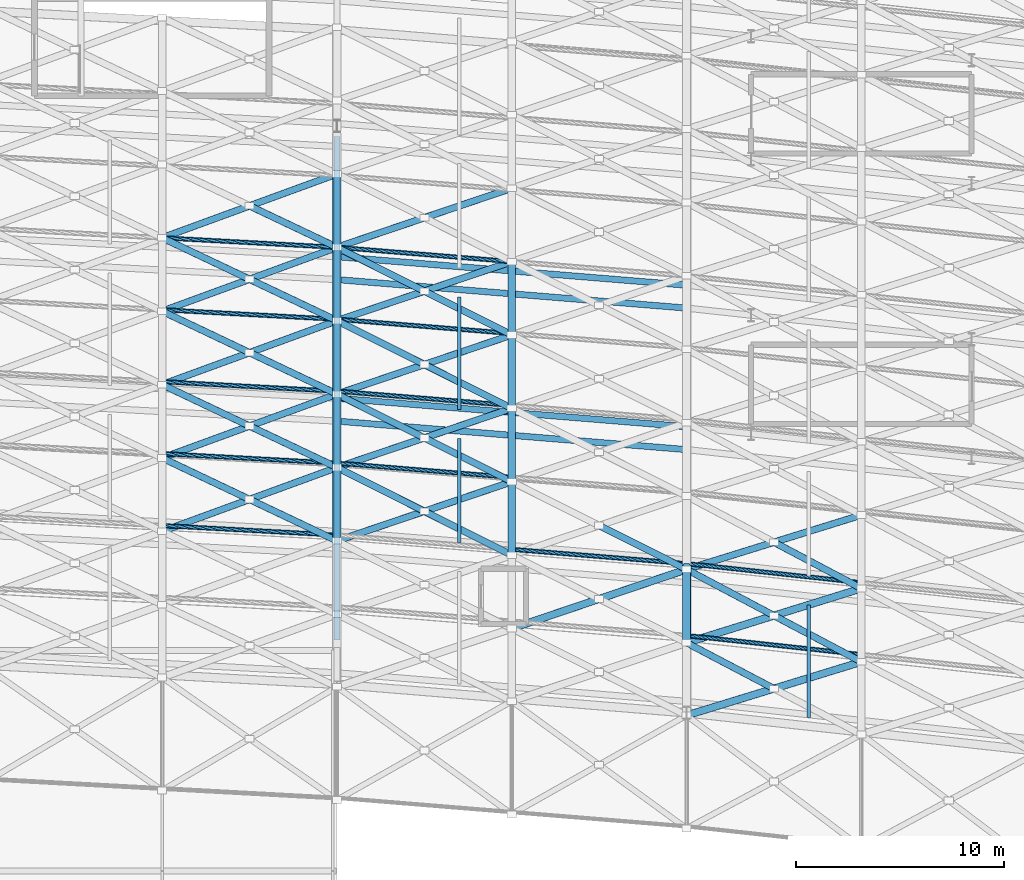
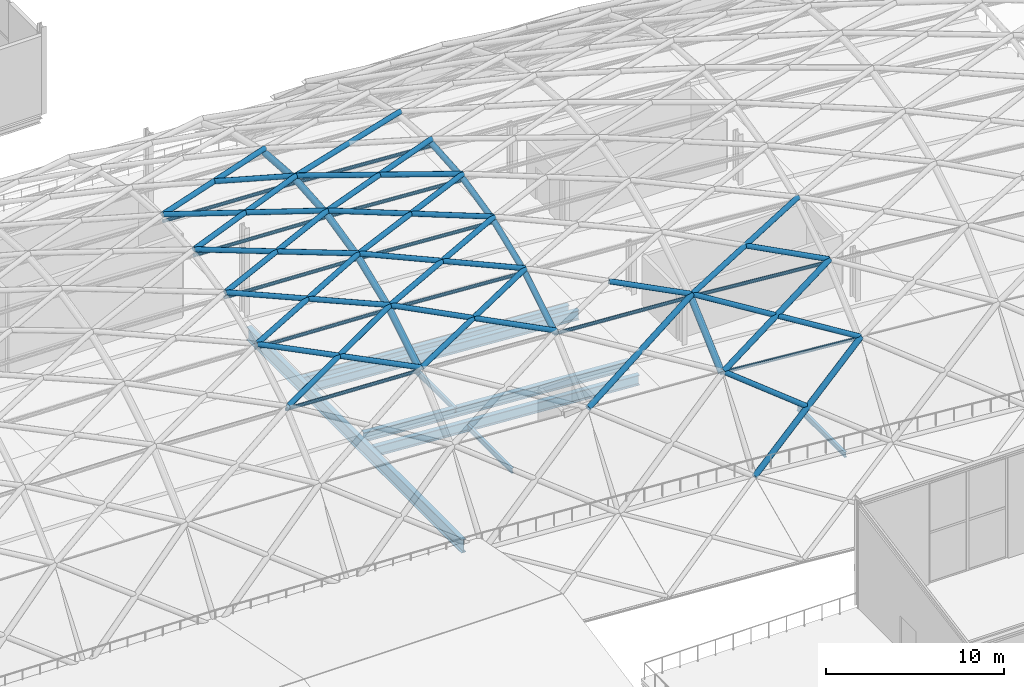
# One storey, part 51 of 100: 58 members, 8 beams.
"""IFC4 building model written with IfcOpenShell, lengths in metres."""

from ifc_helpers import new_model, si_unit, direction, frame, origin, origin_2d, place, context, subcontext, project, spatial, hollow_circle, i_section, extrude, material, material_profile, profile_set, type_object, element, save


model = new_model("IFC4")

# Units and contexts
model_context = context("Model", 3, precision=1e-05, world=origin(), true_north=direction((0.0, 1.0)))
body_context = subcontext(model_context, "Body", "Model", "MODEL_VIEW")
ifc_project = project(units=[si_unit("LENGTHUNIT", "METRE"), si_unit("AREAUNIT", "SQUARE_METRE"), si_unit("VOLUMEUNIT", "CUBIC_METRE"), si_unit("PLANEANGLEUNIT", "RADIAN"), si_unit("MASSUNIT", "GRAM", prefix="KILO")], contexts=[model_context])

# Site, building, storey
site_placement = place(None, origin())
site = spatial("IfcSite", under=ifc_project, at=site_placement, CompositionType="ELEMENT")
building_placement = place(site_placement, origin())
building = spatial("IfcBuilding", under=site, at=building_placement, Name="Kimbaza Rail Terminus", CompositionType="ELEMENT")
storey_placement = place(building_placement, frame((0.0, 0.0, 10.800048828125)))
storey = spatial("IfcBuildingStorey", under=building, at=storey_placement, Name="L02", CompositionType="ELEMENT", Elevation=10.800048828125)

# Beams
ifc_material_1 = material(Name="Steel S355", Category="steel")
ifc_material_profile_1 = material_profile(ifc_material_1, i_section(OverallWidth=0.300048828125, OverallDepth=0.64990234375, WebThickness=0.01611328125, FlangeThickness=0.031005859375, FilletRadius=0.027099609375, at=origin_2d()), Name="HEB 650")
ifc_profile_set_1 = profile_set([ifc_material_profile_1], Name="Steel S355")
beam_type_1 = type_object("IfcBeamType", Name="STR-BM-HEB650", PredefinedType="USERDEFINED", material=ifc_profile_set_1)
for number, where, z_axis, x_axis, name in (
    (1, (156.14453125, 67.114013671875, -0.5849609375), (0.996689077675, -0.081307333267, 0.0), (0.081307333267, 0.996689077675, 0.0), "Viaduct Chorded Girder P2 Bay 09"),
    (2, (156.14453125, 72.81396484375, -0.5849609375), (0.996690271877, -0.081292693071, 0.0), (0.081292693071, 0.996690271877, 0.0), "Viaduct Chorded Girder P2 Bay 09"),
):
    element("IfcBeam", number, at=place(storey_placement, frame(where, z_axis=z_axis, x_axis=x_axis)), inside=storey, type_object=beam_type_1, Name=name, ObjectType="GIRDER", PredefinedType="USERDEFINED", context=body_context, shape_type="SweptSolid", body=[
        extrude(i_section(OverallWidth=0.300048828125, OverallDepth=0.64990234375, WebThickness=0.01611328125, FlangeThickness=0.031005859375, FilletRadius=0.027099609375, at=origin_2d()), origin(), (0.0, 0.0, 1.0), 16.56591796875),
    ])
ifc_material_2 = material(Name="Steel S355", Category="steel")
ifc_material_profile_2 = material_profile(ifc_material_2, i_section(OverallWidth=0.300048828125, OverallDepth=0.699951171875, WebThickness=0.01708984375, FlangeThickness=0.031982421875, FilletRadius=0.027099609375, at=origin_2d()), Name="HEB 700")
ifc_profile_set_2 = profile_set([ifc_material_profile_2], Name="Steel S355")
beam_type_2 = type_object("IfcBeamType", Name="STR-BM-HEB700", PredefinedType="USERDEFINED", material=ifc_profile_set_2)
for number, where, z_axis, x_axis, name in (
    (3, (156.14453125, 66.013916015625, -0.920166015625), (0.996690271877, -0.081292693071, 0.0), (0.081292693071, 0.996690271877, 0.0), "Viaduct Chorded Girder TR12 Bay 09"),
    (4, (156.14453125, 73.9140625, -0.920166015625), (0.996689077675, -0.081307333267, 0.0), (0.081307333267, 0.996689077675, 0.0), "Viaduct Chorded Girder TR34 Bay 09"),
):
    element("IfcBeam", number, at=place(storey_placement, frame(where, z_axis=z_axis, x_axis=x_axis)), inside=storey, type_object=beam_type_2, Name=name, ObjectType="GIRDER", PredefinedType="USERDEFINED", context=body_context, shape_type="SweptSolid", body=[
        extrude(i_section(OverallWidth=0.300048828125, OverallDepth=0.699951171875, WebThickness=0.01708984375, FlangeThickness=0.031982421875, FilletRadius=0.027099609375, at=origin_2d()), origin(), (0.0, 0.0, 1.0), 16.56591796875),
    ])
ifc_material_3 = material(Name="Steel S355", Category="steel")
ifc_material_profile_3 = material_profile(ifc_material_3, i_section(OverallWidth=0.302001953125, OverallDepth=0.909912109375, WebThickness=0.02099609375, FlangeThickness=0.0400390625, FilletRadius=0.030029296875, at=origin_2d()), Name="HEM 900")
ifc_profile_set_3 = profile_set([ifc_material_profile_3], Name="Steel S355")
beam_type_3 = type_object("IfcBeamType", Name="STR-BM-HEM900", PredefinedType="USERDEFINED", material=ifc_profile_set_3)
beam_1_placement = place(storey_placement, frame((156.0, 55.498046875, -1.025146484375), z_axis=(0.0, 1.0, 0.0), x_axis=(-1.0, 0.0, 0.0)))
element("IfcBeam", 5, at=beam_1_placement, inside=storey, type_object=beam_type_3, Name="Warren Transfer Truss WT-06 Top Chord", ObjectType="GIRDER", PredefinedType="USERDEFINED", context=body_context, shape_type="SweptSolid", body=[
    extrude(i_section(OverallWidth=0.302001953125, OverallDepth=0.909912109375, WebThickness=0.02099609375, FlangeThickness=0.0400390625, FilletRadius=0.030029296875, at=origin_2d()), origin(), (0.0, 0.0, 1.0), 24.203857421875),
])
ifc_material_4 = material(Name="Steel S355", Category="steel")
ifc_material_profile_4 = material_profile(ifc_material_4, i_section(OverallWidth=0.169921875, OverallDepth=0.360107421875, WebThickness=0.008056640625, FlangeThickness=0.0126953125, FilletRadius=0.01806640625, at=origin_2d()), Name="IPE 360")
ifc_profile_set_4 = profile_set([ifc_material_profile_4], Name="Steel S355")
beam_type_4 = type_object("IfcBeamType", Name="STR-BM-IPE360", PredefinedType="JOIST", material=ifc_profile_set_4)
beam_2_placement = place(storey_placement, frame((161.8798828125, 60.185546875, -0.75), z_axis=(0.0, 1.0, 0.0), x_axis=(-1.0, 0.0, 0.0)))
element("IfcBeam", 6, at=beam_2_placement, inside=storey, type_object=beam_type_4, Name="Viaduct Diaphragm TR12 Bay 09", PredefinedType="JOIST", context=body_context, shape_type="SweptSolid", body=[
    extrude(i_section(OverallWidth=0.169921875, OverallDepth=0.360107421875, WebThickness=0.008056640625, FlangeThickness=0.0126953125, FilletRadius=0.01806640625, at=origin_2d()), origin(), (0.0, 0.0, 1.0), 5.010009765625),
])
beam_3_placement = place(storey_placement, frame((161.8798828125, 66.585693359375, -0.43994140625), z_axis=(0.0, 1.0, 0.0), x_axis=(-1.0, 0.0, 0.0)))
element("IfcBeam", 7, at=beam_3_placement, inside=storey, type_object=beam_type_4, Name="Viaduct Diaphragm P2 Bay 09", PredefinedType="JOIST", context=body_context, shape_type="SweptSolid", body=[
    extrude(i_section(OverallWidth=0.169921875, OverallDepth=0.360107421875, WebThickness=0.008056640625, FlangeThickness=0.0126953125, FilletRadius=0.01806640625, at=origin_2d()), origin(), (0.0, 0.0, 1.0), 5.409912109375),
])
beam_4_placement = place(storey_placement, frame((178.679931640625, 51.784423828125, -0.43994140625), z_axis=(0.0, 1.0, 0.0), x_axis=(-1.0, 0.0, 0.0)))
element("IfcBeam", 8, at=beam_4_placement, inside=storey, type_object=beam_type_4, Name="Viaduct Diaphragm P1 Bay 10", PredefinedType="JOIST", context=body_context, shape_type="SweptSolid", body=[
    extrude(i_section(OverallWidth=0.169921875, OverallDepth=0.360107421875, WebThickness=0.008056640625, FlangeThickness=0.0126953125, FilletRadius=0.01806640625, at=origin_2d()), origin(), (0.0, 0.0, 1.0), 5.41015625),
])

# Members
ifc_material_5 = material(Name="White painted steel S355", Category="steel")
ifc_material_profile_5 = material_profile(ifc_material_5, hollow_circle(Radius=0.109619140625, WallThickness=0.008056640625, at=origin_2d()), Name="CHS 219.1x8")
ifc_profile_set_5 = profile_set([ifc_material_profile_5], Name="White painted steel S355")
member_type_1 = type_object("IfcMemberType", Name="STR-MB-CHS219", PredefinedType="PURLIN", material=ifc_profile_set_5)
for number, where, z_axis, x_axis, name in (
    (9, (147.60009765625, 61.003662109375, 7.9716796875), (0.998529393298, -0.054213012459, 0.0), (0.054213012459, 0.998529393298, 0.0), "Vault lattice longitudinal purlin VR-15-VA03"),
    (10, (147.60009765625, 64.460693359375, 10.078857421875), (0.998529393298, -0.054213012459, 0.0), (0.054213012459, 0.998529393298, 0.0), "Vault lattice longitudinal purlin VR-15-VA04"),
    (11, (147.60009765625, 67.917724609375, 11.462158203125), (0.998529393298, -0.054213012459, 0.0), (0.054213012459, 0.998529393298, 0.0), "Vault lattice longitudinal purlin VR-15-VA05"),
    (12, (147.60009765625, 71.374755859375, 12.25244140625), (0.998529393298, -0.054213012459, 0.0), (0.054213012459, 0.998529393298, 0.0), "Vault lattice longitudinal purlin VR-15-VA06"),
    (13, (147.60009765625, 74.831787109375, 12.510009765625), (0.998529393298, -0.054213012459, 0.0), (0.054213012459, 0.998529393298, 0.0), "Vault lattice longitudinal purlin VR-15-VA07"),
):
    element("IfcMember", number, at=place(storey_placement, frame(where, z_axis=z_axis, x_axis=x_axis)), inside=storey, type_object=member_type_1, Name=name, PredefinedType="PURLIN", context=body_context, shape_type="SweptSolid", body=[
        extrude(hollow_circle(Radius=0.109619140625, WallThickness=0.008056640625, at=origin_2d()), origin(), (0.0, 0.0, 1.0), 8.412353515625),
    ])
for number, where, z_axis, x_axis, name in (
    (14, (156.0, 64.004638671875, 10.078857421875), (0.996690845265, -0.081285662728, 0.0), (0.081285662728, 0.996690845265, 0.0), "Vault lattice longitudinal purlin VR-16-VA04"),
    (15, (156.0, 67.461669921875, 11.462158203125), (0.996690845265, -0.081285662728, 0.0), (0.081285662728, 0.996690845265, 0.0), "Vault lattice longitudinal purlin VR-16-VA05"),
    (16, (156.0, 70.918701171875, 12.25244140625), (0.996690845265, -0.081285662728, 0.0), (0.081285662728, 0.996690845265, 0.0), "Vault lattice longitudinal purlin VR-16-VA06"),
    (17, (156.0, 74.375732421875, 12.510009765625), (0.996690845265, -0.081285662728, 0.0), (0.081285662728, 0.996690845265, 0.0), "Vault lattice longitudinal purlin VR-16-VA07"),
):
    element("IfcMember", number, at=place(storey_placement, frame(where, z_axis=z_axis, x_axis=x_axis)), inside=storey, type_object=member_type_1, Name=name, PredefinedType="PURLIN", context=body_context, shape_type="SweptSolid", body=[
        extrude(hollow_circle(Radius=0.109619140625, WallThickness=0.008056640625, at=origin_2d()), origin(), (0.0, 0.0, 1.0), 8.427734375),
    ])
member_1_placement = place(storey_placement, frame((164.39990234375, 59.862548828125, 7.9716796875), z_axis=(0.996688689454, -0.081312092054, 0.0), x_axis=(0.081312092054, 0.996688689454, 0.0)))
element("IfcMember", 18, at=member_1_placement, inside=storey, type_object=member_type_1, Name="Vault lattice longitudinal purlin VR-17-VA03", PredefinedType="PURLIN", context=body_context, shape_type="SweptSolid", body=[
    extrude(hollow_circle(Radius=0.109619140625, WallThickness=0.008056640625, at=origin_2d()), origin(), (0.0, 0.0, 1.0), 8.427978515625),
])
for number, where, z_axis, x_axis, name in (
    (19, (172.800048828125, 55.72021484375, 4.85205078125), (0.994106480102, -0.108408054216, 0.0), (0.108408054216, 0.994106480102, 0.0), "Vault lattice longitudinal purlin VR-18-VA02"),
    (20, (172.800048828125, 59.17724609375, 7.9716796875), (0.994106480102, -0.108408054216, 0.0), (0.108408054216, 0.994106480102, 0.0), "Vault lattice longitudinal purlin VR-18-VA03"),
):
    element("IfcMember", number, at=place(storey_placement, frame(where, z_axis=z_axis, x_axis=x_axis)), inside=storey, type_object=member_type_1, Name=name, PredefinedType="PURLIN", context=body_context, shape_type="SweptSolid", body=[
        extrude(hollow_circle(Radius=0.109619140625, WallThickness=0.008056640625, at=origin_2d()), origin(), (0.0, 0.0, 1.0), 8.44970703125),
    ])
ifc_material_6 = material(Name="White painted steel S355", Category="steel")
ifc_material_profile_6 = material_profile(ifc_material_6, hollow_circle(Radius=0.161865234375, WallThickness=0.010009765625, at=origin_2d()), Name="CHS 323.9x10")
ifc_profile_set_6 = profile_set([ifc_material_profile_6], Name="White painted steel S355")
member_type_2 = type_object("IfcMemberType", Name="STR-MB-CHS323", PredefinedType="STRUT", material=ifc_profile_set_6)
member_2_placement = place(storey_placement, frame((147.60009765625, 60.72509765625, 8.350341796875), z_axis=(0.913204657707, 0.333845497432, 0.233675922992), x_axis=(-0.343351337448, 0.939207037385, 0.0)))
element("IfcMember", 21, at=member_2_placement, inside=storey, type_object=member_type_2, Name="Vault lattice diagonal A VR-15-VA03", PredefinedType="STRUT", context=body_context, shape_type="SweptSolid", body=[
    extrude(hollow_circle(Radius=0.161865234375, WallThickness=0.010009765625, at=origin_2d()), origin(), (0.0, 0.0, 1.0), 9.1982421875),
])
for number, where, z_axis, x_axis, name in (
    (22, (156.0, 60.26904296875, 8.350341796875), (-0.880346310549, 0.417426312571, 0.22526794507), (-0.428438532209, -0.903570929213, 0.0), "Vault lattice diagonal B1 VR-15-VA03"),
    (23, (151.800048828125, 62.260498046875, 9.425048828125), (-0.880365115406, 0.417384054017, 0.225272756962), (-0.428395648018, -0.903591261998, 0.0), "Vault lattice diagonal B2 VR-15-VA03"),
):
    element("IfcMember", number, at=place(storey_placement, frame(where, z_axis=z_axis, x_axis=x_axis)), inside=storey, type_object=member_type_2, Name=name, PredefinedType="STRUT", context=body_context, shape_type="SweptSolid", body=[
        extrude(hollow_circle(Radius=0.161865234375, WallThickness=0.010009765625, at=origin_2d()), origin(), (0.0, 0.0, 1.0), 4.770751953125),
    ])
member_3_placement = place(storey_placement, frame((147.60009765625, 64.251708984375, 10.499755859375), z_axis=(0.927726263972, 0.339154244848, 0.155879367902), x_axis=(-0.343351337448, 0.939207037385, 0.0)))
element("IfcMember", 24, at=member_3_placement, inside=storey, type_object=member_type_2, Name="Vault lattice diagonal A VR-15-VA04", PredefinedType="STRUT", context=body_context, shape_type="SweptSolid", body=[
    extrude(hollow_circle(Radius=0.161865234375, WallThickness=0.010009765625, at=origin_2d()), origin(), (0.0, 0.0, 1.0), 9.05419921875),
])
for number, where, z_axis, x_axis, name in (
    (25, (156.0, 63.7958984375, 10.499755859375), (-0.893350283389, 0.423540365711, 0.150129376811), (-0.428395648018, -0.903591261998, 0.0), "Vault lattice diagonal B1 VR-15-VA04"),
    (26, (151.800048828125, 65.787109375, 11.20556640625), (-0.893357247009, 0.423543667186, 0.150078616744), (-0.428395648018, -0.903591261998, 0.0), "Vault lattice diagonal B2 VR-15-VA04"),
):
    element("IfcMember", number, at=place(storey_placement, frame(where, z_axis=z_axis, x_axis=x_axis)), inside=storey, type_object=member_type_2, Name=name, PredefinedType="STRUT", context=body_context, shape_type="SweptSolid", body=[
        extrude(hollow_circle(Radius=0.161865234375, WallThickness=0.010009765625, at=origin_2d()), origin(), (0.0, 0.0, 1.0), 4.701416015625),
    ])
member_4_placement = place(storey_placement, frame((147.60009765625, 67.7783203125, 11.9111328125), z_axis=(0.935414732903, 0.34196496281, 0.089773279313), x_axis=(-0.343351337448, 0.939207037385, 0.0)))
element("IfcMember", 27, at=member_4_placement, inside=storey, type_object=member_type_2, Name="Vault lattice diagonal A VR-15-VA05", PredefinedType="STRUT", context=body_context, shape_type="SweptSolid", body=[
    extrude(hollow_circle(Radius=0.161865234375, WallThickness=0.010009765625, at=origin_2d()), origin(), (0.0, 0.0, 1.0), 8.97998046875),
])
for number, where, z_axis, x_axis, name in (
    (28, (156.0, 67.322509765625, 11.9111328125), (-0.90021270886, 0.426793864643, 0.086394883586), (-0.428395648018, -0.903591261998, 0.0), "Vault lattice diagonal B1 VR-15-VA05"),
    (29, (151.800048828125, 69.313720703125, 12.314208984375), (-0.900192603293, 0.426836660179, 0.086392954022), (-0.428438532209, -0.903570929213, 0.0), "Vault lattice diagonal B2 VR-15-VA05"),
):
    element("IfcMember", number, at=place(storey_placement, frame(where, z_axis=z_axis, x_axis=x_axis)), inside=storey, type_object=member_type_2, Name=name, PredefinedType="STRUT", context=body_context, shape_type="SweptSolid", body=[
        extrude(hollow_circle(Radius=0.161865234375, WallThickness=0.010009765625, at=origin_2d()), origin(), (0.0, 0.0, 1.0), 4.66552734375),
    ])
member_5_placement = place(storey_placement, frame((147.60009765625, 71.30517578125, 12.71728515625), z_axis=(0.938810945943, 0.343179249757, 0.029360012144), x_axis=(-0.343327257478, 0.939215840088, 0.0)))
element("IfcMember", 30, at=member_5_placement, inside=storey, type_object=member_type_2, Name="Vault lattice diagonal A VR-15-VA06", PredefinedType="STRUT", context=body_context, shape_type="SweptSolid", body=[
    extrude(hollow_circle(Radius=0.161865234375, WallThickness=0.010009765625, at=origin_2d()), origin(), (0.0, 0.0, 1.0), 8.947265625),
])
member_6_placement = place(storey_placement, frame((156.0, 70.84912109375, 12.71728515625), z_axis=(-0.903230698103, 0.428224703466, 0.028247289169), x_axis=(-0.428395648018, -0.903591261998, 0.0)))
element("IfcMember", 31, at=member_6_placement, inside=storey, type_object=member_type_2, Name="Vault lattice diagonal B1 VR-15-VA06", PredefinedType="STRUT", context=body_context, shape_type="SweptSolid", body=[
    extrude(hollow_circle(Radius=0.161865234375, WallThickness=0.010009765625, at=origin_2d()), origin(), (0.0, 0.0, 1.0), 4.64990234375),
])
member_7_placement = place(storey_placement, frame((151.800048828125, 72.84033203125, 12.8486328125), z_axis=(-0.903210389648, 0.428267578234, 0.02824665405), x_axis=(-0.428438532209, -0.903570929213, 0.0)))
element("IfcMember", 32, at=member_7_placement, inside=storey, type_object=member_type_2, Name="Vault lattice diagonal B2 VR-15-VA06", PredefinedType="STRUT", context=body_context, shape_type="SweptSolid", body=[
    extrude(hollow_circle(Radius=0.161865234375, WallThickness=0.010009765625, at=origin_2d()), origin(), (0.0, 0.0, 1.0), 4.650146484375),
])
member_8_placement = place(storey_placement, frame((147.60009765625, 74.831787109375, 12.97998046875), z_axis=(0.938810945943, 0.343179249757, -0.029360012144), x_axis=(-0.343327257478, 0.939215840088, 0.0)))
element("IfcMember", 33, at=member_8_placement, inside=storey, type_object=member_type_2, Name="Vault lattice diagonal A VR-15-VA07", PredefinedType="STRUT", context=body_context, shape_type="SweptSolid", body=[
    extrude(hollow_circle(Radius=0.161865234375, WallThickness=0.010009765625, at=origin_2d()), origin(), (0.0, 0.0, 1.0), 8.947265625),
])
member_9_placement = place(storey_placement, frame((156.0, 74.375732421875, 12.97998046875), z_axis=(-0.903210389648, 0.428267578234, -0.02824665405), x_axis=(-0.428438532209, -0.903570929213, 0.0)))
element("IfcMember", 34, at=member_9_placement, inside=storey, type_object=member_type_2, Name="Vault lattice diagonal B1 VR-15-VA07", PredefinedType="STRUT", context=body_context, shape_type="SweptSolid", body=[
    extrude(hollow_circle(Radius=0.161865234375, WallThickness=0.010009765625, at=origin_2d()), origin(), (0.0, 0.0, 1.0), 4.650146484375),
])
member_10_placement = place(storey_placement, frame((156.0, 60.26904296875, 8.350341796875), z_axis=(0.920608353617, 0.311427094918, 0.235570422172), x_axis=(-0.320445296597, 0.947267022486, 0.0)))
element("IfcMember", 35, at=member_10_placement, inside=storey, type_object=member_type_2, Name="Vault lattice diagonal A VR-16-VA03", PredefinedType="STRUT", context=body_context, shape_type="SweptSolid", body=[
    extrude(hollow_circle(Radius=0.161865234375, WallThickness=0.010009765625, at=origin_2d()), origin(), (0.0, 0.0, 1.0), 9.124267578125),
])
for number, where, z_axis, x_axis, name in (
    (36, (164.39990234375, 59.583984375, 8.350341796875), (-0.871410926215, 0.436946500583, 0.222981508876), (-0.448231777961, -0.893917374944, 0.0), "Vault lattice diagonal B1 VR-16-VA03"),
    (37, (160.199951171875, 61.68994140625, 9.425048828125), (-0.871410926215, 0.436946500583, 0.222981508876), (-0.448231777961, -0.893917374944, 0.0), "Vault lattice diagonal B2 VR-16-VA03"),
):
    element("IfcMember", number, at=place(storey_placement, frame(where, z_axis=z_axis, x_axis=x_axis)), inside=storey, type_object=member_type_2, Name=name, PredefinedType="STRUT", context=body_context, shape_type="SweptSolid", body=[
        extrude(hollow_circle(Radius=0.161865234375, WallThickness=0.010009765625, at=origin_2d()), origin(), (0.0, 0.0, 1.0), 4.81982421875),
    ])
member_11_placement = place(storey_placement, frame((156.0, 63.7958984375, 10.499755859375), z_axis=(0.935499887478, 0.316437472838, 0.157185515594), x_axis=(-0.320420591372, 0.94727537951, 0.0)))
element("IfcMember", 38, at=member_11_placement, inside=storey, type_object=member_type_2, Name="Vault lattice diagonal A VR-16-VA04", PredefinedType="STRUT", context=body_context, shape_type="SweptSolid", body=[
    extrude(hollow_circle(Radius=0.161865234375, WallThickness=0.010009765625, at=origin_2d()), origin(), (0.0, 0.0, 1.0), 8.97900390625),
])
for number, where, z_axis, x_axis, name in (
    (39, (164.39990234375, 63.110595703125, 10.499755859375), (-0.883998230569, 0.443258079224, 0.148557744845), (-0.448231777961, -0.893917374944, 0.0), "Vault lattice diagonal B1 VR-16-VA04"),
    (40, (160.199951171875, 65.216552734375, 11.20556640625), (-0.884004977772, 0.443261462434, 0.148507492051), (-0.448231777961, -0.893917374944, 0.0), "Vault lattice diagonal B2 VR-16-VA04"),
):
    element("IfcMember", number, at=place(storey_placement, frame(where, z_axis=z_axis, x_axis=x_axis)), inside=storey, type_object=member_type_2, Name=name, PredefinedType="STRUT", context=body_context, shape_type="SweptSolid", body=[
        extrude(hollow_circle(Radius=0.161865234375, WallThickness=0.010009765625, at=origin_2d()), origin(), (0.0, 0.0, 1.0), 4.7509765625),
    ])
member_12_placement = place(storey_placement, frame((156.0, 67.322509765625, 11.9111328125), z_axis=(0.943376650186, 0.319129245815, 0.090537397515), x_axis=(-0.320445296597, 0.947267022486, 0.0)))
element("IfcMember", 41, at=member_12_placement, inside=storey, type_object=member_type_2, Name="Vault lattice diagonal A VR-16-VA05", PredefinedType="STRUT", context=body_context, shape_type="SweptSolid", body=[
    extrude(hollow_circle(Radius=0.161865234375, WallThickness=0.010009765625, at=origin_2d()), origin(), (0.0, 0.0, 1.0), 8.904052734375),
])
for number, where, z_axis, x_axis, name in (
    (42, (164.39990234375, 66.63720703125, 11.9111328125), (-0.890645786714, 0.446591324548, 0.085476730446), (-0.448231777961, -0.893917374944, 0.0), "Vault lattice diagonal B1 VR-16-VA05"),
    (43, (160.199951171875, 68.7431640625, 12.314208984375), (-0.890645786714, 0.446591324548, 0.085476730446), (-0.448231777961, -0.893917374944, 0.0), "Vault lattice diagonal B2 VR-16-VA05"),
):
    element("IfcMember", number, at=place(storey_placement, frame(where, z_axis=z_axis, x_axis=x_axis)), inside=storey, type_object=member_type_2, Name=name, PredefinedType="STRUT", context=body_context, shape_type="SweptSolid", body=[
        extrude(hollow_circle(Radius=0.161865234375, WallThickness=0.010009765625, at=origin_2d()), origin(), (0.0, 0.0, 1.0), 4.715576171875),
    ])
member_13_placement = place(storey_placement, frame((156.0, 70.84912109375, 12.71728515625), z_axis=(0.946851630904, 0.320304776262, 0.029611473431), x_axis=(-0.320445296597, 0.947267022486, 0.0)))
element("IfcMember", 44, at=member_13_placement, inside=storey, type_object=member_type_2, Name="Vault lattice diagonal A VR-16-VA06", PredefinedType="STRUT", context=body_context, shape_type="SweptSolid", body=[
    extrude(hollow_circle(Radius=0.161865234375, WallThickness=0.010009765625, at=origin_2d()), origin(), (0.0, 0.0, 1.0), 8.871337890625),
])
for number, where, z_axis, x_axis, name in (
    (45, (164.39990234375, 70.1640625, 12.71728515625), (-0.893589059431, 0.448015208835, 0.027945760273), (-0.448190253585, -0.893938195063, 0.0), "Vault lattice diagonal B1 VR-16-VA06"),
    (46, (160.199951171875, 72.269775390625, 12.8486328125), (-0.893568263696, 0.448056725144, 0.027945109915), (-0.448231777961, -0.893917374944, 0.0), "Vault lattice diagonal B2 VR-16-VA06"),
):
    element("IfcMember", number, at=place(storey_placement, frame(where, z_axis=z_axis, x_axis=x_axis)), inside=storey, type_object=member_type_2, Name=name, PredefinedType="STRUT", context=body_context, shape_type="SweptSolid", body=[
        extrude(hollow_circle(Radius=0.161865234375, WallThickness=0.010009765625, at=origin_2d()), origin(), (0.0, 0.0, 1.0), 4.7001953125),
    ])
member_14_placement = place(storey_placement, frame((156.0, 74.375732421875, 12.97998046875), z_axis=(0.946851630904, 0.320304776262, -0.029611473431), x_axis=(-0.320445296597, 0.947267022486, 0.0)))
element("IfcMember", 47, at=member_14_placement, inside=storey, type_object=member_type_2, Name="Vault lattice diagonal A VR-16-VA07", PredefinedType="STRUT", context=body_context, shape_type="SweptSolid", body=[
    extrude(hollow_circle(Radius=0.161865234375, WallThickness=0.010009765625, at=origin_2d()), origin(), (0.0, 0.0, 1.0), 8.871337890625),
])
member_15_placement = place(storey_placement, frame((172.800048828125, 58.898681640625, 8.350341796875), z_axis=(-0.871410926215, 0.436946500583, 0.222981508876), x_axis=(-0.448231777961, -0.893917374944, 0.0)))
element("IfcMember", 48, at=member_15_placement, inside=storey, type_object=member_type_2, Name="Vault lattice diagonal B1 VR-17-VA03", PredefinedType="STRUT", context=body_context, shape_type="SweptSolid", body=[
    extrude(hollow_circle(Radius=0.161865234375, WallThickness=0.010009765625, at=origin_2d()), origin(), (0.0, 0.0, 1.0), 4.81982421875),
])
member_16_placement = place(storey_placement, frame((177.0, 53.168701171875, 2.615966796875), z_axis=(-0.77983211888, 0.409113809969, 0.473801389672), x_axis=(-0.464568554853, -0.885537157799, 0.0)))
element("IfcMember", 49, at=member_16_placement, inside=storey, type_object=member_type_2, Name="Vault lattice diagonal B2 VR-18-VA01", PredefinedType="STRUT", context=body_context, shape_type="SweptSolid", body=[
    extrude(hollow_circle(Radius=0.161865234375, WallThickness=0.010009765625, at=origin_2d()), origin(), (0.0, 0.0, 1.0), 5.3857421875),
])
for number, where, z_axis, x_axis, name in (
    (50, (181.199951171875, 54.456298828125, 5.167724609375), (-0.838222707869, 0.443303504981, 0.317592025222), (-0.467507561467, -0.883989072314, 0.0), "Vault lattice diagonal B1 VR-18-VA02"),
    (51, (177.0, 56.677490234375, 6.759033203125), (-0.838222707869, 0.443303504981, 0.317592025222), (-0.467507561467, -0.883989072314, 0.0), "Vault lattice diagonal B2 VR-18-VA02"),
):
    element("IfcMember", number, at=place(storey_placement, frame(where, z_axis=z_axis, x_axis=x_axis)), inside=storey, type_object=member_type_2, Name=name, PredefinedType="STRUT", context=body_context, shape_type="SweptSolid", body=[
        extrude(hollow_circle(Radius=0.161865234375, WallThickness=0.010009765625, at=origin_2d()), origin(), (0.0, 0.0, 1.0), 5.010498046875),
    ])
member_17_placement = place(storey_placement, frame((172.800048828125, 58.898681640625, 8.350341796875), z_axis=(0.927643307476, 0.288328126785, 0.237370565571), x_axis=(-0.296811236638, 0.95493617054, 0.0)))
element("IfcMember", 52, at=member_17_placement, inside=storey, type_object=member_type_2, Name="Vault lattice diagonal A VR-18-VA03", PredefinedType="STRUT", context=body_context, shape_type="SweptSolid", body=[
    extrude(hollow_circle(Radius=0.161865234375, WallThickness=0.010009765625, at=origin_2d()), origin(), (0.0, 0.0, 1.0), 9.05517578125),
])
member_18_placement = place(storey_placement, frame((181.199951171875, 57.98291015625, 8.350341796875), z_axis=(-0.862206208714, 0.455987449101, 0.220626154203), x_axis=(-0.467507561467, -0.883989072314, 0.0)))
element("IfcMember", 53, at=member_18_placement, inside=storey, type_object=member_type_2, Name="Vault lattice diagonal B1 VR-18-VA03", PredefinedType="STRUT", context=body_context, shape_type="SweptSolid", body=[
    extrude(hollow_circle(Radius=0.161865234375, WallThickness=0.010009765625, at=origin_2d()), origin(), (0.0, 0.0, 1.0), 4.87109375),
])
ifc_material_7 = material(Name="White painted steel S355", Category="steel")
ifc_material_profile_7 = material_profile(ifc_material_7, hollow_circle(Radius=0.177734375, WallThickness=0.012451171875, at=origin_2d()), Name="CHS 355.6x12.5")
ifc_profile_set_7 = profile_set([ifc_material_profile_7], Name="White painted steel S355")
member_type_3 = type_object("IfcMemberType", Name="STR-MB-CHS355", PredefinedType="CHORD", material=ifc_profile_set_7)
member_19_placement = place(storey_placement, frame((164.39990234375, 59.76171875, 8.108642578125), z_axis=(0.0, 0.853901304322, 0.520434974302), x_axis=(-1.0, 0.0, 0.0)))
element("IfcMember", 54, at=member_19_placement, inside=storey, type_object=member_type_3, Name="Vault lattice arch chord VR-17 seg 4", PredefinedType="CHORD", context=body_context, shape_type="SweptSolid", body=[
    extrude(hollow_circle(Radius=0.177734375, WallThickness=0.012451171875, at=origin_2d()), origin(), (0.0, 0.0, 1.0), 4.077880859375),
])
member_20_placement = place(storey_placement, frame((164.39990234375, 63.243896484375, 10.23095703125), z_axis=(0.0, 0.928413829694, 0.37154779078), x_axis=(-1.0, 0.0, 0.0)))
element("IfcMember", 55, at=member_20_placement, inside=storey, type_object=member_type_3, Name="Vault lattice arch chord VR-17 seg 5", PredefinedType="CHORD", context=body_context, shape_type="SweptSolid", body=[
    extrude(hollow_circle(Radius=0.177734375, WallThickness=0.012451171875, at=origin_2d()), origin(), (0.0, 0.0, 1.0), 3.750732421875),
])
member_21_placement = place(storey_placement, frame((164.39990234375, 66.72607421875, 11.62451171875), z_axis=(0.0, 0.974848749884, 0.22286748271), x_axis=(-1.0, 0.0, 0.0)))
element("IfcMember", 56, at=member_21_placement, inside=storey, type_object=member_type_3, Name="Vault lattice arch chord VR-17 seg 6", PredefinedType="CHORD", context=body_context, shape_type="SweptSolid", body=[
    extrude(hollow_circle(Radius=0.177734375, WallThickness=0.012451171875, at=origin_2d()), origin(), (0.0, 0.0, 1.0), 3.572265625),
])
member_22_placement = place(storey_placement, frame((164.39990234375, 70.20849609375, 12.420654296875), z_axis=(0.0, 0.997239447362, 0.074252842537), x_axis=(-1.0, 0.0, 0.0)))
element("IfcMember", 57, at=member_22_placement, inside=storey, type_object=member_type_3, Name="Vault lattice arch chord VR-17 seg 7", PredefinedType="CHORD", context=body_context, shape_type="SweptSolid", body=[
    extrude(hollow_circle(Radius=0.177734375, WallThickness=0.012451171875, at=origin_2d()), origin(), (0.0, 0.0, 1.0), 3.49169921875),
])
member_23_placement = place(storey_placement, frame((164.39990234375, 56.057373046875, 5.167724609375), z_axis=(0.89159389769, 0.301577288962, 0.33780387858), x_axis=(-0.320412234802, 0.94727820612, 0.0)))
element("IfcMember", 58, at=member_23_placement, inside=storey, type_object=member_type_3, Name="Vault lattice diagonal A VR-17-VA02", PredefinedType="CHORD", context=body_context, shape_type="SweptSolid", body=[
    extrude(hollow_circle(Radius=0.177734375, WallThickness=0.012451171875, at=origin_2d()), origin(), (0.0, 0.0, 1.0), 9.42138671875),
])
member_24_placement = place(storey_placement, frame((172.800048828125, 51.881103515625, 0.064208984375), z_axis=(0.826720949123, 0.253451507625, 0.502289563462), x_axis=(-0.293109355165, 0.95607892243, 0.0)))
element("IfcMember", 59, at=member_24_placement, inside=storey, type_object=member_type_3, Name="Vault lattice diagonal A VR-18-VA01", PredefinedType="CHORD", context=body_context, shape_type="SweptSolid", body=[
    extrude(hollow_circle(Radius=0.177734375, WallThickness=0.012451171875, at=origin_2d()), origin(), (0.0, 0.0, 1.0), 10.160400390625),
])
member_25_placement = place(storey_placement, frame((172.800048828125, 55.3720703125, 5.167724609375), z_axis=(0.897967340624, 0.279104305663, 0.340228513991), x_axis=(-0.296811236638, 0.95493617054, 0.0)))
element("IfcMember", 60, at=member_25_placement, inside=storey, type_object=member_type_3, Name="Vault lattice diagonal A VR-18-VA02", PredefinedType="CHORD", context=body_context, shape_type="SweptSolid", body=[
    extrude(hollow_circle(Radius=0.177734375, WallThickness=0.012451171875, at=origin_2d()), origin(), (0.0, 0.0, 1.0), 9.354248046875),
])
ifc_material_8 = material(Name="White painted steel S355", Category="steel")
ifc_material_profile_8 = material_profile(ifc_material_8, hollow_circle(Radius=0.203125, WallThickness=0.01416015625, at=origin_2d()), Name="CHS 406.4x14.2")
ifc_profile_set_8 = profile_set([ifc_material_profile_8], Name="White painted steel S355")
member_type_4 = type_object("IfcMemberType", Name="STR-MB-CHS406", PredefinedType="CHORD", material=ifc_profile_set_8)
member_26_placement = place(storey_placement, frame((156.0, 60.44677734375, 8.108642578125), z_axis=(0.0, 0.853917518556, 0.520408369939), x_axis=(-1.0, 0.0, 0.0)))
element("IfcMember", 61, at=member_26_placement, inside=storey, type_object=member_type_4, Name="Vault lattice arch chord VR-16 seg 4", PredefinedType="CHORD", context=body_context, shape_type="SweptSolid", body=[
    extrude(hollow_circle(Radius=0.203125, WallThickness=0.01416015625, at=origin_2d()), origin(), (0.0, 0.0, 1.0), 4.078125),
])
member_27_placement = place(storey_placement, frame((156.0, 63.92919921875, 10.23095703125), z_axis=(0.0, 0.928413829694, 0.37154779078), x_axis=(-1.0, 0.0, 0.0)))
element("IfcMember", 62, at=member_27_placement, inside=storey, type_object=member_type_4, Name="Vault lattice arch chord VR-16 seg 5", PredefinedType="CHORD", context=body_context, shape_type="SweptSolid", body=[
    extrude(hollow_circle(Radius=0.203125, WallThickness=0.01416015625, at=origin_2d()), origin(), (0.0, 0.0, 1.0), 3.750732421875),
])
member_28_placement = place(storey_placement, frame((156.0, 67.411376953125, 11.62451171875), z_axis=(0.0, 0.974845354939, 0.22288233208), x_axis=(-1.0, 0.0, 0.0)))
element("IfcMember", 63, at=member_28_placement, inside=storey, type_object=member_type_4, Name="Vault lattice arch chord VR-16 seg 6", PredefinedType="CHORD", context=body_context, shape_type="SweptSolid", body=[
    extrude(hollow_circle(Radius=0.203125, WallThickness=0.01416015625, at=origin_2d()), origin(), (0.0, 0.0, 1.0), 3.572021484375),
])
for number, where, z_axis, x_axis, name in (
    (64, (156.0, 70.8935546875, 12.420654296875), (0.0, 0.997239447362, 0.074252842537), (-1.0, 0.0, 0.0), "Vault lattice arch chord VR-16 seg 7"),
    (65, (156.0, 74.375732421875, 12.679931640625), (0.0, 0.997239447362, -0.074252842537), (-1.0, 0.0, 0.0), "Vault lattice arch chord VR-16 seg 8"),
):
    element("IfcMember", number, at=place(storey_placement, frame(where, z_axis=z_axis, x_axis=x_axis)), inside=storey, type_object=member_type_4, Name=name, PredefinedType="CHORD", context=body_context, shape_type="SweptSolid", body=[
        extrude(hollow_circle(Radius=0.203125, WallThickness=0.01416015625, at=origin_2d()), origin(), (0.0, 0.0, 1.0), 3.49169921875),
    ])
member_29_placement = place(storey_placement, frame((172.800048828125, 55.59423828125, 4.966064453125), z_axis=(0.0, 0.742403219767, 0.669953326195), x_axis=(-1.0, 0.0, 0.0)))
element("IfcMember", 66, at=member_29_placement, inside=storey, type_object=member_type_4, Name="Vault lattice arch chord VR-18 seg 3", PredefinedType="CHORD", context=body_context, shape_type="SweptSolid", body=[
    extrude(hollow_circle(Radius=0.203125, WallThickness=0.01416015625, at=origin_2d()), origin(), (0.0, 0.0, 1.0), 4.690673828125),
])

save(model, "model.ifc")
